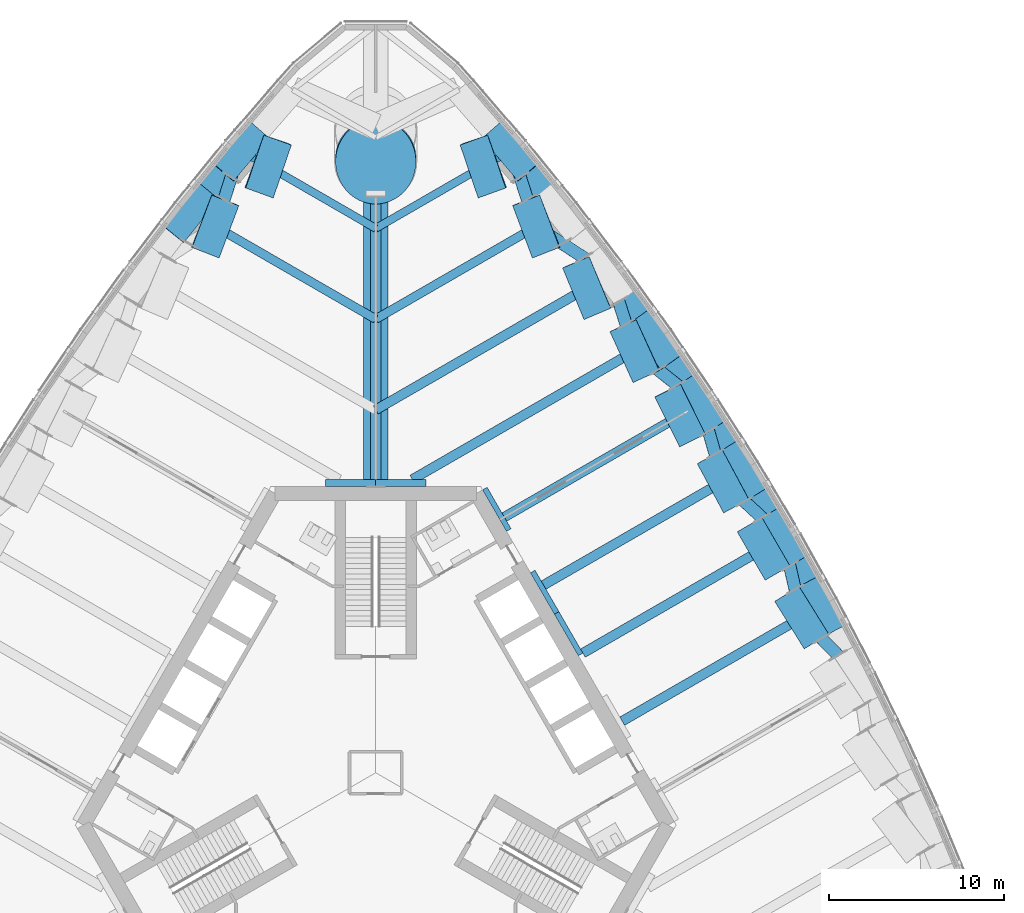
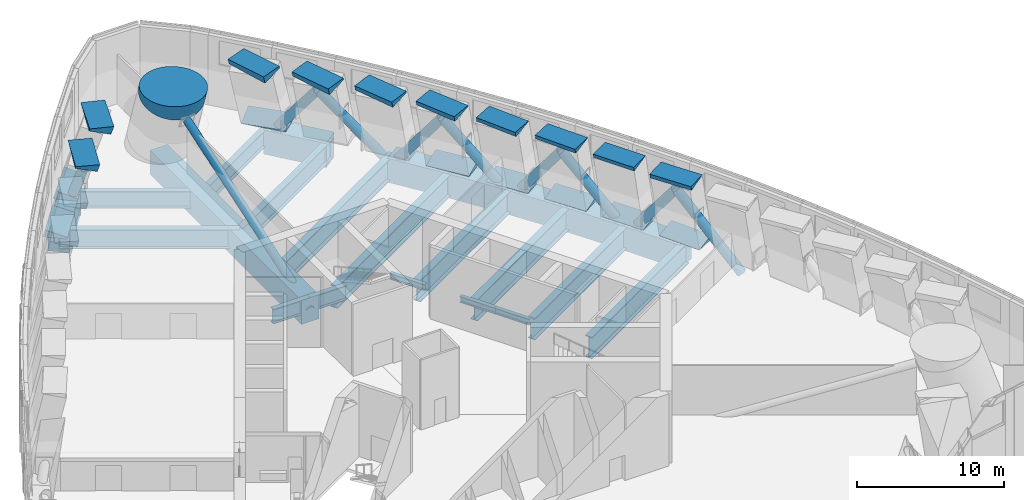
# One storey, part 5 of 28: 29 members, 23 beams.
"""IFC4 building model written with IfcOpenShell, lengths in metres."""

from ifc_helpers import new_model, si_unit, direction, frame, origin, origin_2d, place, context, subcontext, project, spatial, rectangle, circle, hollow_circle, i_section, extrude, clip, halfspace, material, material_profile, profile_set, type_object, element, save


model = new_model("IFC4")

# Units and contexts
model_context = context("Model", 3, precision=1e-05, world=origin(), true_north=direction((0.0, 1.0)))
body_context = subcontext(model_context, "Body", "Model", "MODEL_VIEW")
ifc_project = project(units=[si_unit("LENGTHUNIT", "METRE"), si_unit("AREAUNIT", "SQUARE_METRE"), si_unit("VOLUMEUNIT", "CUBIC_METRE"), si_unit("PLANEANGLEUNIT", "RADIAN"), si_unit("MASSUNIT", "GRAM", prefix="KILO")], contexts=[model_context])

# Site, building, storey
site_placement = place(None, origin())
site = spatial("IfcSite", under=ifc_project, at=site_placement, CompositionType="ELEMENT")
building_placement = place(site_placement, origin())
building = spatial("IfcBuilding", under=site, at=building_placement, Name="Trefoil Bronze Tower", CompositionType="ELEMENT")
storey_placement = place(building_placement, frame((0.0, 0.0, 92.10009765625)))
storey = spatial("IfcBuildingStorey", under=building, at=storey_placement, Name="L21", CompositionType="ELEMENT", Elevation=92.10009765625)

# Members
ifc_material_1 = material(Name="Steel C355", Category="steel")
ifc_material_profile_1 = material_profile(ifc_material_1, hollow_circle(Radius=0.35546875, WallThickness=0.02490234375, at=origin_2d()), Name="CHS 711x25")
ifc_profile_set_1 = profile_set([ifc_material_profile_1], Name="Steel C355")
member_type_1 = type_object("IfcMemberType", Name="Belt truss diagonal CHS 711x25", PredefinedType="BRACE", material=ifc_profile_set_1)
member_1_placement = place(storey_placement, frame((27.61083984375, 5.548828125, -1.25), z_axis=(-0.422212868272, 0.437939352745, 0.793691008632), x_axis=(-0.719914761564, -0.69406248716, 0.0)))
element("IfcMember", 1, at=member_1_placement, inside=storey, type_object=member_type_1, Name="Belt truss diagonal F2.5 L21", PredefinedType="BRACE", context=body_context, shape_type="SweptSolid", body=[
    extrude(hollow_circle(Radius=0.35546875, WallThickness=0.02490234375, at=origin_2d()), origin(), (0.0, 0.0, 1.0), 7.622314453125),
])
for number, where, z_axis, x_axis, name in (
    (2, (23.33837890625, 13.474365234375, -1.25), (0.137530038849, -0.598469066692, 0.789252978852), (0.974597091452, 0.223965419951, 0.0), "Belt truss diagonal F2.6 L21"),
    (3, (23.33837890625, 13.474365234375, -1.25), (-0.449531112082, 0.418349947372, 0.789243372354), (-0.681262352242, -0.732039348271, 0.0), "Belt truss diagonal F2.7 L21"),
):
    element("IfcMember", number, at=place(storey_placement, frame(where, z_axis=z_axis, x_axis=x_axis)), inside=storey, type_object=member_type_1, Name=name, PredefinedType="BRACE", context=body_context, shape_type="SweptSolid", body=[
        extrude(hollow_circle(Radius=0.35546875, WallThickness=0.02490234375, at=origin_2d()), origin(), (0.0, 0.0, 1.0), 7.665283203125),
    ])
member_2_placement = place(storey_placement, frame((18.61083984375, 21.13720703125, -1.25), z_axis=(0.168156431532, -0.584607845395, 0.793698356831), x_axis=(0.961033641328, 0.276431438581, 0.0)))
element("IfcMember", 4, at=member_2_placement, inside=storey, type_object=member_type_1, Name="Belt truss diagonal F2.8 L21", PredefinedType="BRACE", context=body_context, shape_type="SweptSolid", body=[
    extrude(hollow_circle(Radius=0.35546875, WallThickness=0.02490234375, at=origin_2d()), origin(), (0.0, 0.0, 1.0), 7.622314453125),
])
member_3_placement = place(storey_placement, frame((18.61083984375, 21.13720703125, -1.25), z_axis=(-0.488717682786, 0.388704705845, 0.781065732308), x_axis=(-0.622476489469, -0.782638498963, 0.0)))
element("IfcMember", 5, at=member_3_placement, inside=storey, type_object=member_type_1, Name="Belt truss diagonal F2.9 L21", PredefinedType="BRACE", context=body_context, shape_type="SweptSolid", body=[
    extrude(hollow_circle(Radius=0.35546875, WallThickness=0.02490234375, at=origin_2d()), origin(), (0.0, 0.0, 1.0), 7.74560546875),
])
member_4_placement = place(storey_placement, frame((13.42578125, 28.5361328125, -1.25), z_axis=(0.184077399459, -0.577116200572, 0.795645902425), x_axis=(0.95271113521, 0.303877430631, 0.0)))
element("IfcMember", 6, at=member_4_placement, inside=storey, type_object=member_type_1, Name="Belt truss diagonal F2.10 L21", PredefinedType="BRACE", context=body_context, shape_type="SweptSolid", body=[
    extrude(hollow_circle(Radius=0.35546875, WallThickness=0.02490234375, at=origin_2d()), origin(), (0.0, 0.0, 1.0), 7.603759765625),
])
member_5_placement = place(storey_placement, frame((13.42578125, 28.5361328125, -1.25), z_axis=(-0.538322489785, 0.348300813589, 0.767395230793), x_axis=(-0.543223240647, -0.839588298406, 0.0)))
element("IfcMember", 7, at=member_5_placement, inside=storey, type_object=member_type_1, Name="Belt truss diagonal F2.11 L21", PredefinedType="BRACE", context=body_context, shape_type="SweptSolid", body=[
    extrude(hollow_circle(Radius=0.35546875, WallThickness=0.02490234375, at=origin_2d()), origin(), (0.0, 0.0, 1.0), 7.883544921875),
])
for number, where, z_axis, x_axis, name in (
    (8, (7.7763671875, 35.666748046875, -1.25), (0.184869664295, -0.576734266238, 0.795739149075), (0.952273199056, 0.30524703825, 0.0), "Belt truss diagonal F2.12 L21"),
    (9, (-7.7763671875, 35.666748046875, -1.25), (-0.184869664295, -0.576734266238, 0.795739149075), (0.952273199056, -0.30524703825, 0.0), "Belt truss diagonal F3.1 L21"),
):
    element("IfcMember", number, at=place(storey_placement, frame(where, z_axis=z_axis, x_axis=x_axis)), inside=storey, type_object=member_type_1, Name=name, PredefinedType="BRACE", context=body_context, shape_type="SweptSolid", body=[
        extrude(hollow_circle(Radius=0.35546875, WallThickness=0.02490234375, at=origin_2d()), origin(), (0.0, 0.0, 1.0), 7.602783203125),
    ])
ifc_material_2 = material(Name="Concrete B80", Category="concrete")
ifc_material_profile_2 = material_profile(ifc_material_2, rectangle(XDim=3.199951171875, YDim=1.60009765625, at=origin_2d()), Name="RC 3200x1600")
ifc_profile_set_2 = profile_set([ifc_material_profile_2], Name="Concrete B80")
member_type_2 = type_object("IfcMemberType", Name="Column node RC 3200x1600", PredefinedType="MEMBER", material=ifc_profile_set_2)
member_6_placement = place(storey_placement, frame((23.3701171875, 13.49267578125, -0.17041015625), z_axis=(-0.182873443531, -0.105800344725, 0.977427025771), x_axis=(-0.500774789596, 0.865577616454, 0.0)))
element("IfcMember", 10, at=member_6_placement, inside=storey, type_object=member_type_2, Name="Column node TC3216 L21 bottom", PredefinedType="MEMBER", context=body_context, shape_type="Clipping", body=[
    clip(extrude(rectangle(XDim=3.199951171875, YDim=1.60009765625, at=origin_2d()), origin(), (0.0, 0.0, 1.0), 0.348388671875), halfspace(frame((0.0, 0.0, 0.17431640625), z_axis=(2.5873517638691127e-17, -0.21127330473329356, 0.9774270257707595), x_axis=(0.0, 0.9774270257707595, 0.21127330473329356)), True)),
])
member_7_placement = place(storey_placement, frame((22.181396484375, 12.806396484375, 6.170166015625), z_axis=(0.182873443531, 0.105800344725, -0.977427025771), x_axis=(0.500774789596, -0.865577616454, 0.0)))
element("IfcMember", 11, at=member_7_placement, inside=storey, type_object=member_type_2, Name="Column node TC3216 L21 top", PredefinedType="MEMBER", context=body_context, shape_type="Clipping", body=[
    clip(extrude(rectangle(XDim=3.199951171875, YDim=1.60009765625, at=origin_2d()), origin(), (0.0, 0.0, 1.0), 0.348388671875), halfspace(frame((0.0, 0.0, 0.17431640625), z_axis=(-2.5873517638691127e-17, 0.21127330473329353, 0.9774270257707595), x_axis=(0.0, 0.9774270257707595, -0.21127330473329353)), True)),
])
member_8_placement = place(storey_placement, frame((21.066162109375, 17.358642578125, -0.18310546875), z_axis=(-0.185711225256, -0.106865406814, 0.976775883015), x_axis=(-0.525411331829, 0.850821110423, -0.006809584698)))
element("IfcMember", 12, at=member_8_placement, inside=storey, type_object=member_type_2, Name="Column node TC3216 L21 bottom", PredefinedType="MEMBER", context=body_context, shape_type="Clipping", body=[
    clip(extrude(rectangle(XDim=3.199951171875, YDim=1.60009765625, at=origin_2d()), origin(), (0.0, 0.0, 1.0), 0.374755859375), halfspace(frame((0.0, 0.0, 0.187255859375), z_axis=(-0.006809584697733859, -0.2141553266114201, 0.9767758830152393), x_axis=(0.0, 0.9767985305684478, 0.2141602920228708)), True)),
])
member_9_placement = place(storey_placement, frame((19.85791015625, 16.6611328125, 6.182861328125), z_axis=(0.185081966273, 0.106878318552, -0.976893899451), x_axis=(0.472935601154, -0.881070814181, -0.006792463508)))
element("IfcMember", 13, at=member_9_placement, inside=storey, type_object=member_type_2, Name="Column node TC3216 L21 top", PredefinedType="MEMBER", context=body_context, shape_type="Clipping", body=[
    clip(extrude(rectangle(XDim=3.199951171875, YDim=1.60009765625, at=origin_2d()), origin(), (0.0, 0.0, 1.0), 0.37451171875), halfspace(frame((0.0, 0.0, 0.187255859375), z_axis=(0.006792463507608063, 0.21361688054956463, 0.9768938994505856), x_axis=(0.0, 0.976916435981119, -0.2136218086009668)), True)),
])
member_10_placement = place(storey_placement, frame((18.650146484375, 21.159912109375, -0.200439453125), z_axis=(-0.191942334907, -0.110530260968, 0.975162141124), x_axis=(-0.551647923135, 0.833958629926, -0.014056047536)))
element("IfcMember", 14, at=member_10_placement, inside=storey, type_object=member_type_2, Name="Column node TC3216 L21 bottom", PredefinedType="MEMBER", context=body_context, shape_type="Clipping", body=[
    clip(extrude(rectangle(XDim=3.199951171875, YDim=1.60009765625, at=origin_2d()), origin(), (0.0, 0.0, 1.0), 0.410888671875), halfspace(frame((0.0, 0.0, 0.205322265625), z_axis=(-0.014056047535892303, -0.22104575555087877, 0.9751621411235211), x_axis=(0.0, 0.9752584879979466, 0.22106759506530843)), True)),
])
member_11_placement = place(storey_placement, frame((17.390869140625, 20.432861328125, 6.2001953125), z_axis=(0.19192969502, 0.111117191854, -0.975097924233), x_axis=(0.446473441107, -0.894686196128, -0.014073977574)))
element("IfcMember", 15, at=member_11_placement, inside=storey, type_object=member_type_2, Name="Column node TC3216 L21 top", PredefinedType="MEMBER", context=body_context, shape_type="Clipping", body=[
    clip(extrude(rectangle(XDim=3.199951171875, YDim=1.60009765625, at=origin_2d()), origin(), (0.0, 0.0, 1.0), 0.410888671875), halfspace(frame((0.0, 0.0, 0.205322265625), z_axis=(0.014073977573678837, 0.22132772377412643, 0.9750979242333663), x_axis=(0.0, 0.9751945107423408, -0.22134964697962953)), True)),
])
member_12_placement = place(storey_placement, frame((16.122314453125, 24.896728515625, -0.222900390625), z_axis=(-0.202953041845, -0.117190732824, 0.972150397287), x_axis=(-0.577707991438, 0.815940297729, -0.022246509171)))
element("IfcMember", 16, at=member_12_placement, inside=storey, type_object=member_type_2, Name="Column node TC3216 L21 bottom", PredefinedType="MEMBER", context=body_context, shape_type="Clipping", body=[
    clip(extrude(rectangle(XDim=3.199951171875, YDim=1.60009765625, at=origin_2d()), origin(), (0.0, 0.0, 1.0), 0.458251953125), halfspace(frame((0.0, 0.0, 0.229248046875), z_axis=(-0.022246509171194372, -0.23329958826251437, 0.9721503972874965), x_axis=(0.0, 0.9723910487173858, 0.23335734051943327)), True)),
])
member_13_placement = place(storey_placement, frame((14.77880859375, 24.12109375, 6.22265625), z_axis=(0.202953041845, 0.117190732824, -0.972150397287), x_axis=(0.417876682554, -0.908231342229, -0.022246509171)))
element("IfcMember", 17, at=member_13_placement, inside=storey, type_object=member_type_2, Name="Column node TC3216 L21 top", PredefinedType="MEMBER", context=body_context, shape_type="Clipping", body=[
    clip(extrude(rectangle(XDim=3.199951171875, YDim=1.60009765625, at=origin_2d()), origin(), (0.0, 0.0, 1.0), 0.458251953125), halfspace(frame((0.0, 0.0, 0.229248046875), z_axis=(0.022246509171194372, 0.23329958826251437, 0.9721503972874965), x_axis=(0.0, 0.9723910487173858, -0.23335734051943327)), True)),
])
member_14_placement = place(storey_placement, frame((12.02001953125, 27.724365234375, 6.2509765625), z_axis=(0.217851430786, 0.125629226825, -0.967862620144), x_axis=(0.389897822882, -0.920312440362, -0.031697000283)))
element("IfcMember", 18, at=member_14_placement, inside=storey, type_object=member_type_2, Name="Column node TC3216 L21 top", PredefinedType="MEMBER", context=body_context, shape_type="Clipping", body=[
    clip(extrude(rectangle(XDim=3.199951171875, YDim=1.60009765625, at=origin_2d()), origin(), (0.0, 0.0, 1.0), 0.518798828125), halfspace(frame((0.0, 0.0, 0.259521484375), z_axis=(0.03169700028319803, 0.24947394393222602, 0.9678626201439683), x_axis=(0.0, 0.9683491925225559, -0.24959936165966826)), True)),
])
member_15_placement = place(storey_placement, frame((9.111328125, 31.2412109375, 6.28564453125), z_axis=(0.237063482172, 0.136814799936, -0.961812152106), x_axis=(0.36318833033, -0.930728679867, -0.042876114394)))
element("IfcMember", 19, at=member_15_placement, inside=storey, type_object=member_type_2, Name="Column node TC3216 L21 top", PredefinedType="MEMBER", context=body_context, shape_type="Clipping", body=[
    clip(extrude(rectangle(XDim=3.199951171875, YDim=1.60009765625, at=origin_2d()), origin(), (0.0, 0.0, 1.0), 0.59423828125), halfspace(frame((0.0, 0.0, 0.297119140625), z_axis=(0.04287611439357722, 0.2703313205601256, 0.9618121521059753), x_axis=(0.0, 0.9626974519829242, -0.2705801469908411)), True)),
])
member_16_placement = place(storey_placement, frame((7.865478515625, 35.718017578125, -0.326171875), z_axis=(-0.260308621735, -0.150329121743, 0.953750793765), x_axis=(-0.643873994787, 0.76311952906, -0.05545144907)))
element("IfcMember", 20, at=member_16_placement, inside=storey, type_object=member_type_2, Name="Column node TC3216 L21 bottom", PredefinedType="MEMBER", context=body_context, shape_type="Clipping", body=[
    clip(extrude(rectangle(XDim=3.199951171875, YDim=1.60009765625, at=origin_2d()), origin(), (0.0, 0.0, 1.0), 0.683837890625), halfspace(frame((0.0, 0.0, 0.341796875), z_axis=(-0.055451449069781666, -0.29543960497809013, 0.9537507937645198), x_axis=(0.0, 0.9552205106288151, 0.29589487334867065)), True)),
])
member_17_placement = place(storey_placement, frame((6.050048828125, 34.669921875, 6.325927734375), z_axis=(0.260308621735, 0.150329121743, -0.953750793765), x_axis=(0.339159643021, -0.939093112179, -0.05545144907)))
element("IfcMember", 21, at=member_17_placement, inside=storey, type_object=member_type_2, Name="Column node TC3216 L21 top", PredefinedType="MEMBER", context=body_context, shape_type="Clipping", body=[
    clip(extrude(rectangle(XDim=3.199951171875, YDim=1.60009765625, at=origin_2d()), origin(), (0.0, 0.0, 1.0), 0.683837890625), halfspace(frame((0.0, 0.0, 0.341796875), z_axis=(0.055451449069781666, 0.29543960497809013, 0.9537507937645198), x_axis=(0.0, 0.9552205106288151, -0.29589487334867065)), True)),
])
member_18_placement = place(storey_placement, frame((25.566162109375, 9.564453125, -0.18310546875), z_axis=(-0.185711225256, -0.106865406814, 0.976775883015), x_axis=(-0.471598349584, 0.881787177399, 0.006809584698)))
element("IfcMember", 22, at=member_18_placement, inside=storey, type_object=member_type_2, Name="Column node TC3216 L21 bottom", PredefinedType="MEMBER", context=body_context, shape_type="Clipping", body=[
    clip(extrude(rectangle(XDim=3.199951171875, YDim=1.60009765625, at=origin_2d()), origin(), (0.0, 0.0, 1.0), 0.374755859375), halfspace(frame((0.0, 0.0, 0.187255859375), z_axis=(0.006809584697733859, -0.2141553266114201, 0.9767758830152393), x_axis=(0.0, 0.9767985305684478, 0.2141602920228708)), True)),
])
member_19_placement = place(storey_placement, frame((24.35791015625, 8.866943359375, 6.182861328125), z_axis=(0.185081966273, 0.106878318552, -0.976893899451), x_axis=(0.526707923279, -0.850019191545, 0.006792463508)))
element("IfcMember", 23, at=member_19_placement, inside=storey, type_object=member_type_2, Name="Column node TC3216 L21 top", PredefinedType="MEMBER", context=body_context, shape_type="Clipping", body=[
    clip(extrude(rectangle(XDim=3.199951171875, YDim=1.60009765625, at=origin_2d()), origin(), (0.0, 0.0, 1.0), 0.37451171875), halfspace(frame((0.0, 0.0, 0.187255859375), z_axis=(-0.006792463507608063, 0.21361688054956463, 0.9768938994505856), x_axis=(0.0, 0.976916435981119, -0.2136218086009668)), True)),
])
member_20_placement = place(storey_placement, frame((-10.730224609375, 32.17578125, -0.285888671875), z_axis=(0.236688947506, -0.136424879465, 0.961959767554), x_axis=(-0.623764817598, -0.780439657853, 0.042794775109)))
element("IfcMember", 24, at=member_20_placement, inside=storey, type_object=member_type_2, Name="Column node TC3216 L21 bottom", PredefinedType="MEMBER", context=body_context, shape_type="Clipping", body=[
    clip(extrude(rectangle(XDim=3.199951171875, YDim=1.60009765625, at=origin_2d()), origin(), (0.0, 0.0, 1.0), 0.59423828125), halfspace(frame((0.0, 0.0, 0.297119140625), z_axis=(0.04279477510864147, -0.2698184812643756, 0.9619597675535015), x_axis=(0.0, 0.9628418423925306, 0.2700658929560658)), True)),
])
member_21_placement = place(storey_placement, frame((-9.111328125, 31.2412109375, 6.28564453125), z_axis=(-0.237063482172, 0.136814799936, -0.961812152106), x_axis=(0.36318833033, 0.930728679867, 0.042876114394)))
element("IfcMember", 25, at=member_21_placement, inside=storey, type_object=member_type_2, Name="Column node TC3216 L21 top", PredefinedType="MEMBER", context=body_context, shape_type="Clipping", body=[
    clip(extrude(rectangle(XDim=3.199951171875, YDim=1.60009765625, at=origin_2d()), origin(), (0.0, 0.0, 1.0), 0.59423828125), halfspace(frame((0.0, 0.0, 0.297119140625), z_axis=(-0.04287611439357722, 0.2703313205601256, 0.9618121521059753), x_axis=(0.0, 0.9626974519829242, -0.2705801469908411)), True)),
])
member_22_placement = place(storey_placement, frame((-7.865478515625, 35.718017578125, -0.326171875), z_axis=(0.260308621735, -0.150329121743, 0.953750793765), x_axis=(-0.643873994787, -0.76311952906, 0.05545144907)))
element("IfcMember", 26, at=member_22_placement, inside=storey, type_object=member_type_2, Name="Column node TC3216 L21 bottom", PredefinedType="MEMBER", context=body_context, shape_type="Clipping", body=[
    clip(extrude(rectangle(XDim=3.199951171875, YDim=1.60009765625, at=origin_2d()), origin(), (0.0, 0.0, 1.0), 0.683837890625), halfspace(frame((0.0, 0.0, 0.341796875), z_axis=(0.055451449069781666, -0.29543960497809013, 0.9537507937645198), x_axis=(0.0, 0.9552205106288151, 0.29589487334867065)), True)),
])
member_23_placement = place(storey_placement, frame((-6.050048828125, 34.669921875, 6.325927734375), z_axis=(-0.260308621735, 0.150329121743, -0.953750793765), x_axis=(0.339159643021, 0.939093112179, 0.05545144907)))
element("IfcMember", 27, at=member_23_placement, inside=storey, type_object=member_type_2, Name="Column node TC3216 L21 top", PredefinedType="MEMBER", context=body_context, shape_type="Clipping", body=[
    clip(extrude(rectangle(XDim=3.199951171875, YDim=1.60009765625, at=origin_2d()), origin(), (0.0, 0.0, 1.0), 0.683837890625), halfspace(frame((0.0, 0.0, 0.341796875), z_axis=(-0.055451449069781666, 0.29543960497809013, 0.9537507937645198), x_axis=(0.0, 0.9552205106288151, -0.29589487334867065)), True)),
])
ifc_material_3 = material(Name="Concrete B80", Category="concrete")
ifc_material_profile_3 = material_profile(ifc_material_3, circle(Radius=2.300048828125, at=origin_2d()), Name="RC D4600")
ifc_profile_set_3 = profile_set([ifc_material_profile_3], Name="Concrete B80")
member_type_3 = type_object("IfcMemberType", Name="Column node RC D4600", PredefinedType="MEMBER", material=ifc_profile_set_3)
member_24_placement = place(storey_placement, frame((0.0, 34.75732421875, 6.728271484375), z_axis=(0.0, 0.316132352239, -0.948715097312), x_axis=(-1.0, 0.0, 0.0)))
element("IfcMember", 28, at=member_24_placement, inside=storey, type_object=member_type_3, Name="Column node MC46 L21 top", PredefinedType="MEMBER", context=body_context, shape_type="Clipping", body=[
    clip(extrude(circle(Radius=2.300048828125, at=origin_2d()), origin(), (0.0, 0.0, 1.0), 1.535400390625), halfspace(frame((0.0, 0.0, 0.767822265625), z_axis=(0.0, -0.3161323522387747, 0.9487150973121379), x_axis=(0.0, 0.9487150973121379, 0.3161323522387747)), True)),
])

# Beams
ifc_material_4 = material(Name="Steel C355", Category="steel")
ifc_material_profile_4 = material_profile(ifc_material_4, i_section(OverallWidth=0.300048828125, OverallDepth=0.5, WebThickness=0.014404296875, FlangeThickness=0.028076171875, FilletRadius=0.027099609375, at=origin_2d()), Name="HEB 500")
ifc_profile_set_4 = profile_set([ifc_material_profile_4], Name="Steel C355")
beam_type_1 = type_object("IfcBeamType", Name="Core seat beam HEB 500", PredefinedType="BEAM", material=ifc_profile_set_4)
for number, where, z_axis, x_axis, name in (
    (29, (11.734619140625, 6.77490234375, -0.5), (-0.499969057507, 0.866043267704, 0.0), (-0.866043267704, -0.499969057507, 0.0), "Core seat beam F2/+0 L21"),
    (30, (10.363525390625, 9.14990234375, -0.5), (-0.500035825175, 0.866004719122, 0.0), (-0.866004719122, -0.500035825175, 0.0), "Core seat beam F2/+1 L21"),
    (31, (7.62109375, 13.89990234375, -0.5), (-0.500035825175, 0.866004719122, 0.0), (-0.866004719122, -0.500035825175, 0.0), "Core seat beam F2/+2 L21"),
):
    element("IfcBeam", number, at=place(storey_placement, frame(where, z_axis=z_axis, x_axis=x_axis)), inside=storey, type_object=beam_type_1, Name=name, PredefinedType="BEAM", context=body_context, shape_type="SweptSolid", body=[
        extrude(i_section(OverallWidth=0.300048828125, OverallDepth=0.5, WebThickness=0.014404296875, FlangeThickness=0.028076171875, FilletRadius=0.027099609375, at=origin_2d()), origin(), (0.0, 0.0, 1.0), 2.742431640625),
    ])
ifc_material_5 = material(Name="Steel C355", Category="steel")
ifc_material_profile_5 = material_profile(ifc_material_5, i_section(OverallWidth=0.39990234375, OverallDepth=1.199951171875, WebThickness=0.02001953125, FlangeThickness=0.0400390625, FilletRadius=0.010009765625, at=origin_2d()), Name="WPG 1200")
ifc_profile_set_5 = profile_set([ifc_material_profile_5], Name="Steel C355")
beam_type_2 = type_object("IfcBeamType", Name="Core seat beam WPG 1200", PredefinedType="BEAM", material=ifc_profile_set_5)
for number, where, z_axis, x_axis, name in (
    (32, (2.88671875, 16.60009765625, -0.85009765625), (-1.0, 0.0, 0.0), (0.0, -1.0, 0.0), "Core seat beam F2/+3 L21"),
    (33, (0.0, 16.60009765625, -0.85009765625), (-1.0, 0.0, 0.0), (0.0, -1.0, 0.0), "Core seat beam F3/-3 L21"),
):
    element("IfcBeam", number, at=place(storey_placement, frame(where, z_axis=z_axis, x_axis=x_axis)), inside=storey, type_object=beam_type_2, Name=name, PredefinedType="BEAM", context=body_context, shape_type="SweptSolid", body=[
        extrude(i_section(OverallWidth=0.39990234375, OverallDepth=1.199951171875, WebThickness=0.02001953125, FlangeThickness=0.0400390625, FilletRadius=0.010009765625, at=origin_2d()), origin(), (0.0, 0.0, 1.0), 2.88671875),
    ])
ifc_material_6 = material(Name="Concrete B80", Category="concrete")
ifc_material_profile_6 = material_profile(ifc_material_6, rectangle(XDim=1.39990234375, YDim=2.0, at=origin_2d()), Name="RC 1400x2000")
ifc_profile_set_6 = profile_set([ifc_material_profile_6], Name="Concrete B80")
beam_type_3 = type_object("IfcBeamType", Name="Corner girder RC 1400x2000", PredefinedType="BEAM", material=ifc_profile_set_6)
beam_1_placement = place(storey_placement, frame((0.0, 16.39990234375, -1.25), z_axis=(0.0, 1.0, 0.0), x_axis=(-1.0, 0.0, 0.0)))
element("IfcBeam", 34, at=beam_1_placement, inside=storey, type_object=beam_type_3, Name="Corner girder K2 L21", PredefinedType="BEAM", context=body_context, shape_type="SweptSolid", body=[
    extrude(rectangle(XDim=1.39990234375, YDim=2.0, at=origin_2d()), origin(), (0.0, 0.0, 1.0), 20.60009765625),
])
ifc_material_7 = material(Name="Steel C355", Category="steel")
ifc_material_profile_7 = material_profile(ifc_material_7, i_section(OverallWidth=0.449951171875, OverallDepth=1.39990234375, WebThickness=0.02294921875, FlangeThickness=0.044921875, FilletRadius=0.011962890625, at=origin_2d()), Name="WPG 1400")
ifc_profile_set_7 = profile_set([ifc_material_profile_7], Name="Steel C355")
beam_type_4 = type_object("IfcBeamType", Name="Floor beam WPG 1400", PredefinedType="BEAM", material=ifc_profile_set_7)
for number, where, z_axis, x_axis, name in (
    (35, (7.7763671875, 35.666748046875, -0.9501953125), (-0.866022587327, -0.500004878216, 0.0), (0.500004878216, -0.866022587327, 0.0), "Floor beam F2/+6 L21"),
    (36, (-7.7763671875, 35.666748046875, -0.9501953125), (0.866022587327, -0.500004878216, 0.0), (0.500004878216, 0.866022587327, 0.0), "Floor beam F3/-6 L21"),
):
    element("IfcBeam", number, at=place(storey_placement, frame(where, z_axis=z_axis, x_axis=x_axis)), inside=storey, type_object=beam_type_4, Name=name, PredefinedType="BEAM", context=body_context, shape_type="SweptSolid", body=[
        extrude(i_section(OverallWidth=0.449951171875, OverallDepth=1.39990234375, WebThickness=0.02294921875, FlangeThickness=0.044921875, FilletRadius=0.011962890625, at=origin_2d()), origin(), (0.0, 0.0, 1.0), 8.9794921875),
    ])
ifc_material_8 = material(Name="Steel C355", Category="steel")
ifc_material_profile_8 = material_profile(ifc_material_8, i_section(OverallWidth=0.5, OverallDepth=1.60009765625, WebThickness=0.02587890625, FlangeThickness=0.050048828125, FilletRadius=0.011962890625, at=origin_2d()), Name="WPG 1600")
ifc_profile_set_8 = profile_set([ifc_material_profile_8], Name="Steel C355")
beam_type_5 = type_object("IfcBeamType", Name="Floor beam WPG 1600", PredefinedType="BEAM", material=ifc_profile_set_8)
for number, where, z_axis, x_axis, name in (
    (37, (10.659912109375, 32.13525390625, -1.050048828125), (-0.866024070878, -0.500002308654, 0.0), (0.500002308654, -0.866024070878, 0.0), "Floor beam F2/+5 L21"),
    (38, (-10.659912109375, 32.13525390625, -1.050048828125), (0.866024070878, -0.500002308654, 0.0), (0.500002308654, 0.866024070878, 0.0), "Floor beam F3/-5 L21"),
):
    element("IfcBeam", number, at=place(storey_placement, frame(where, z_axis=z_axis, x_axis=x_axis)), inside=storey, type_object=beam_type_5, Name=name, PredefinedType="BEAM", context=body_context, shape_type="SweptSolid", body=[
        extrude(i_section(OverallWidth=0.5, OverallDepth=1.60009765625, WebThickness=0.02587890625, FlangeThickness=0.050048828125, FilletRadius=0.011962890625, at=origin_2d()), origin(), (0.0, 0.0, 1.0), 12.30908203125),
    ])
ifc_material_9 = material(Name="Steel C355", Category="steel")
ifc_material_profile_9 = material_profile(ifc_material_9, i_section(OverallWidth=0.550048828125, OverallDepth=1.800048828125, WebThickness=0.029052734375, FlangeThickness=0.054931640625, FilletRadius=0.013916015625, at=origin_2d()), Name="WPG 1800")
ifc_profile_set_9 = profile_set([ifc_material_profile_9], Name="Steel C355")
beam_type_6 = type_object("IfcBeamType", Name="Floor beam WPG 1800", PredefinedType="BEAM", material=ifc_profile_set_9)
beam_2_placement = place(storey_placement, frame((25.531494140625, 9.54443359375, -1.150146484375), z_axis=(-0.866027071639, -0.499997111179, 0.0), x_axis=(0.499997111179, -0.866027071639, 0.0)))
element("IfcBeam", 39, at=beam_2_placement, inside=storey, type_object=beam_type_6, Name="Floor beam F2/-1 L21", PredefinedType="BEAM", context=body_context, shape_type="SweptSolid", body=[
    extrude(i_section(OverallWidth=0.550048828125, OverallDepth=1.800048828125, WebThickness=0.029052734375, FlangeThickness=0.054931640625, FilletRadius=0.013916015625, at=origin_2d()), origin(), (0.0, 0.0, 1.0), 13.18310546875),
])
beam_3_placement = place(storey_placement, frame((23.33837890625, 13.474365234375, -1.150146484375), z_axis=(-0.866031233401, -0.499989902672, 0.0), x_axis=(0.499989902672, -0.866031233401, 0.0)))
element("IfcBeam", 40, at=beam_3_placement, inside=storey, type_object=beam_type_6, Name="Floor beam F2/+0 L21", PredefinedType="BEAM", context=body_context, shape_type="SweptSolid", body=[
    extrude(i_section(OverallWidth=0.550048828125, OverallDepth=1.800048828125, WebThickness=0.029052734375, FlangeThickness=0.054931640625, FilletRadius=0.013916015625, at=origin_2d()), origin(), (0.0, 0.0, 1.0), 13.248779296875),
])
beam_4_placement = place(storey_placement, frame((21.031494140625, 17.338623046875, -1.150146484375), z_axis=(-0.866027071639, -0.499997111179, 0.0), x_axis=(0.499997111179, -0.866027071639, 0.0)))
element("IfcBeam", 41, at=beam_4_placement, inside=storey, type_object=beam_type_6, Name="Floor beam F2/+1 L21", PredefinedType="BEAM", context=body_context, shape_type="SweptSolid", body=[
    extrude(i_section(OverallWidth=0.550048828125, OverallDepth=1.800048828125, WebThickness=0.029052734375, FlangeThickness=0.054931640625, FilletRadius=0.013916015625, at=origin_2d()), origin(), (0.0, 0.0, 1.0), 13.18310546875),
])
beam_5_placement = place(storey_placement, frame((18.61083984375, 21.13720703125, -1.150146484375), z_axis=(-0.866030615021, -0.499990973765, 0.0), x_axis=(0.499990973765, -0.866030615021, 0.0)))
element("IfcBeam", 42, at=beam_5_placement, inside=storey, type_object=beam_type_6, Name="Floor beam F2/+2 L21", PredefinedType="BEAM", context=body_context, shape_type="SweptSolid", body=[
    extrude(i_section(OverallWidth=0.550048828125, OverallDepth=1.800048828125, WebThickness=0.029052734375, FlangeThickness=0.054931640625, FilletRadius=0.013916015625, at=origin_2d()), origin(), (0.0, 0.0, 1.0), 12.986083984375),
])
beam_6_placement = place(storey_placement, frame((16.075927734375, 24.869873046875, -1.150146484375), z_axis=(-0.866028401131, -0.499994808408, 0.0), x_axis=(0.499994808408, -0.866028401131, 0.0)))
element("IfcBeam", 43, at=beam_6_placement, inside=storey, type_object=beam_type_6, Name="Floor beam F2/+3 L21", PredefinedType="BEAM", context=body_context, shape_type="SweptSolid", body=[
    extrude(i_section(OverallWidth=0.550048828125, OverallDepth=1.800048828125, WebThickness=0.029052734375, FlangeThickness=0.054931640625, FilletRadius=0.013916015625, at=origin_2d()), origin(), (0.0, 0.0, 1.0), 16.139892578125),
])
beam_7_placement = place(storey_placement, frame((13.42578125, 28.5361328125, -1.150146484375), z_axis=(-0.866022989816, -0.500004181093, 0.0), x_axis=(0.500004181093, -0.866022989816, 0.0)))
element("IfcBeam", 44, at=beam_7_placement, inside=storey, type_object=beam_type_6, Name="Floor beam F2/+4 L21", PredefinedType="BEAM", context=body_context, shape_type="SweptSolid", body=[
    extrude(i_section(OverallWidth=0.550048828125, OverallDepth=1.800048828125, WebThickness=0.029052734375, FlangeThickness=0.054931640625, FilletRadius=0.013916015625, at=origin_2d()), origin(), (0.0, 0.0, 1.0), 15.502685546875),
])

# Member
ifc_material_10 = material(Name="Steel C355", Category="steel")
ifc_material_profile_10 = material_profile(ifc_material_10, hollow_circle(Radius=0.304931640625, WallThickness=0.02490234375, at=origin_2d()), Name="CHS 610x25")
ifc_profile_set_10 = profile_set([ifc_material_profile_10], Name="Steel C355")
member_type_4 = type_object("IfcMemberType", Name="Outrigger brace CHS 610x25", PredefinedType="BRACE", material=ifc_profile_set_10)
member_25_placement = place(storey_placement, frame((0.0, 16.39990234375, -1.25), z_axis=(0.0, 0.948684543265, 0.31622403035), x_axis=(-1.0, 0.0, 0.0)))
element("IfcMember", 45, at=member_25_placement, inside=storey, type_object=member_type_4, Name="Outrigger brace K2 L21", PredefinedType="BRACE", context=body_context, shape_type="SweptSolid", body=[
    extrude(hollow_circle(Radius=0.304931640625, WallThickness=0.02490234375, at=origin_2d()), origin(), (0.0, 0.0, 1.0), 19.606201171875),
])

# Beams
ifc_material_11 = material(Name="Concrete B80", Category="concrete")
ifc_material_profile_11 = material_profile(ifc_material_11, rectangle(XDim=1.5, YDim=2.0, at=origin_2d()), Name="RC 1500x2000")
ifc_profile_set_11 = profile_set([ifc_material_profile_11], Name="Concrete B80")
beam_type_7 = type_object("IfcBeamType", Name="Spandrel beam RC 1500x2000", PredefinedType="SPANDREL", material=ifc_profile_set_11)
for number, where, z_axis, x_axis, name in (
    (46, (25.531494140625, 9.54443359375, -1.25), (-0.487309404804, 0.873229376504, 0.0), (-0.873229376504, -0.487309404804, 0.0), "Spandrel F2.8 L21"),
    (47, (23.33837890625, 13.474365234375, -1.25), (-0.512587831591, 0.858634797166, 0.0), (-0.858634797166, -0.512587831591, 0.0), "Spandrel F2.9 L21"),
):
    element("IfcBeam", number, at=place(storey_placement, frame(where, z_axis=z_axis, x_axis=x_axis)), inside=storey, type_object=beam_type_7, Name=name, PredefinedType="SPANDREL", context=body_context, shape_type="SweptSolid", body=[
        extrude(rectangle(XDim=1.5, YDim=2.0, at=origin_2d()), origin(), (0.0, 0.0, 1.0), 4.50048828125),
    ])
beam_8_placement = place(storey_placement, frame((21.031494140625, 17.338623046875, -1.25), z_axis=(-0.537408473305, 0.843322081307, 0.0), x_axis=(-0.843322081307, -0.537408473305, 0.0)))
element("IfcBeam", 48, at=beam_8_placement, inside=storey, type_object=beam_type_7, Name="Spandrel F2.10 L21", PredefinedType="SPANDREL", context=body_context, shape_type="SweptSolid", body=[
    extrude(rectangle(XDim=1.5, YDim=2.0, at=origin_2d()), origin(), (0.0, 0.0, 1.0), 4.50439453125),
])
beam_9_placement = place(storey_placement, frame((18.61083984375, 21.13720703125, -1.25), z_axis=(-0.561809680291, 0.827266512758, 0.0), x_axis=(-0.827266512758, -0.561809680291, 0.0)))
element("IfcBeam", 49, at=beam_9_placement, inside=storey, type_object=beam_type_7, Name="Spandrel F2.11 L21", PredefinedType="SPANDREL", context=body_context, shape_type="SweptSolid", body=[
    extrude(rectangle(XDim=1.5, YDim=2.0, at=origin_2d()), origin(), (0.0, 0.0, 1.0), 4.511962890625),
])
beam_10_placement = place(storey_placement, frame((16.075927734375, 24.869873046875, -1.25), z_axis=(-0.585823508301, 0.810438657223, 0.0), x_axis=(-0.810438657223, -0.585823508301, 0.0)))
element("IfcBeam", 50, at=beam_10_placement, inside=storey, type_object=beam_type_7, Name="Spandrel F2.12 L21", PredefinedType="SPANDREL", context=body_context, shape_type="SweptSolid", body=[
    extrude(rectangle(XDim=1.5, YDim=2.0, at=origin_2d()), origin(), (0.0, 0.0, 1.0), 4.523681640625),
])
for number, where, z_axis, x_axis, name in (
    (51, (10.659912109375, 32.13525390625, -1.25), (-0.632467643363, 0.774586780225, 0.0), (-0.774586780225, -0.632467643363, 0.0), "Spandrel F2.14 L21"),
    (52, (-7.7763671875, 35.666748046875, -1.25), (-0.632467643363, -0.774586780225, 0.0), (0.774586780225, -0.632467643363, 0.0), "Spandrel F3.3 L21"),
):
    element("IfcBeam", number, at=place(storey_placement, frame(where, z_axis=z_axis, x_axis=x_axis)), inside=storey, type_object=beam_type_7, Name=name, PredefinedType="SPANDREL", context=body_context, shape_type="SweptSolid", body=[
        extrude(rectangle(XDim=1.5, YDim=2.0, at=origin_2d()), origin(), (0.0, 0.0, 1.0), 4.55908203125),
    ])

save(model, "model.ifc")
